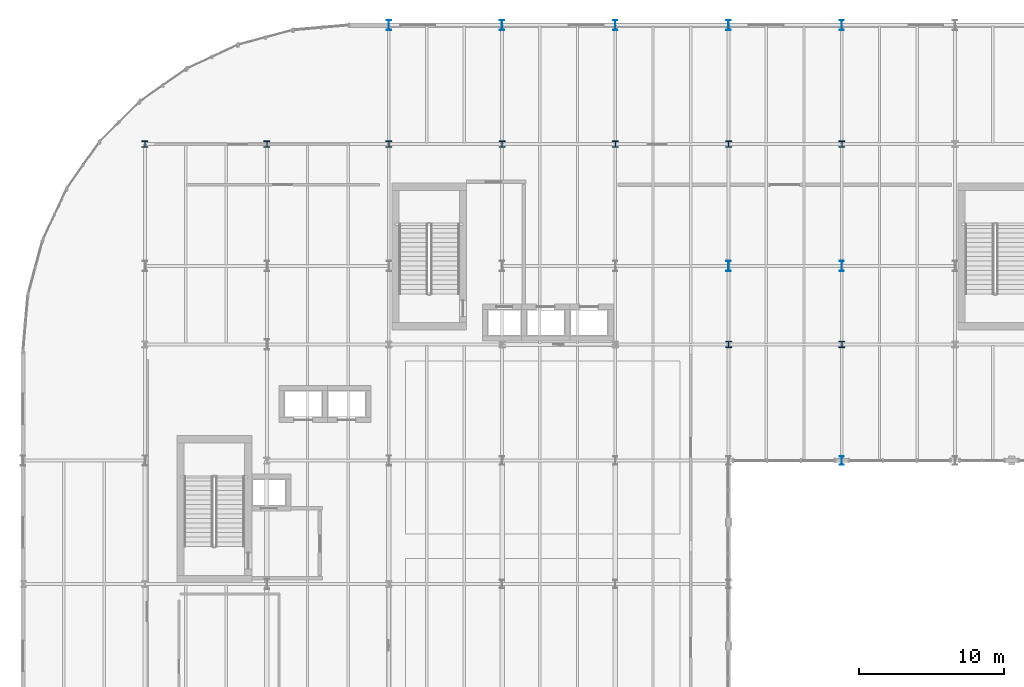
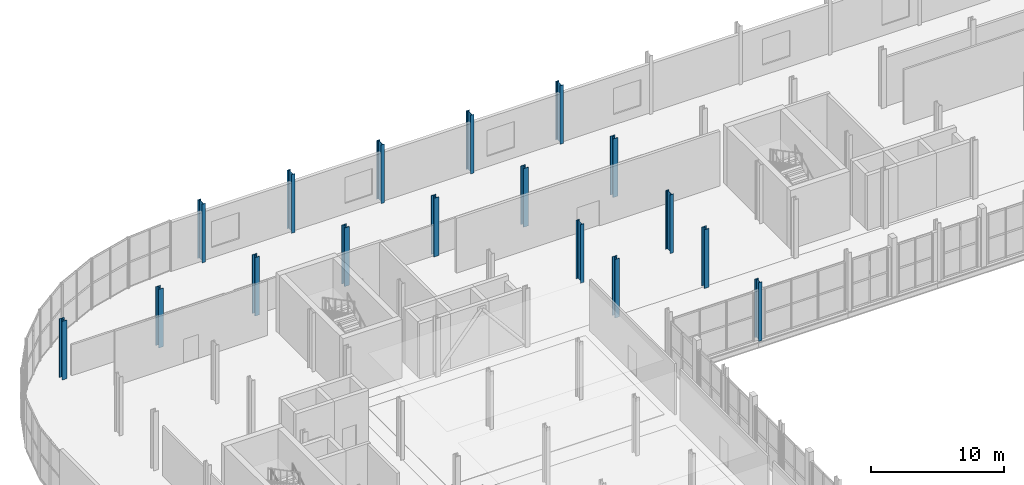
# One storey, part 9 of 78: 17 columns.
"""IFC4 building model written with IfcOpenShell, lengths in metres."""

from ifc_helpers import new_model, si_unit, direction, frame, origin, origin_2d, place, context, subcontext, project, spatial, i_section, extrude, material, material_profile, profile_set, type_object, element, save


model = new_model("IFC4")

# Units and contexts
model_context = context("Model", 3, precision=1e-05, world=origin(), true_north=direction((0.0, 1.0)))
body_context = subcontext(model_context, "Body", "Model", "MODEL_VIEW")
ifc_project = project(units=[si_unit("LENGTHUNIT", "METRE"), si_unit("AREAUNIT", "SQUARE_METRE"), si_unit("VOLUMEUNIT", "CUBIC_METRE"), si_unit("PLANEANGLEUNIT", "RADIAN"), si_unit("MASSUNIT", "GRAM", prefix="KILO")], contexts=[model_context])

# Site, building, storey
site_placement = place(None, origin())
site = spatial("IfcSite", under=ifc_project, at=site_placement, CompositionType="ELEMENT")
building_placement = place(site_placement, origin())
building = spatial("IfcBuilding", under=site, at=building_placement, Name="Sefraquen Railside Congress Hotel", CompositionType="ELEMENT")
storey_placement = place(building_placement, frame((0.0, 0.0, 6.0)))
storey = spatial("IfcBuildingStorey", under=building, at=storey_placement, Name="L01", CompositionType="ELEMENT", Elevation=6.0)

# Columns
ifc_material_1 = material(Name="Steel S355J2", Category="steel")
ifc_material_profile_1 = material_profile(ifc_material_1, i_section(OverallWidth=0.416015625, OverallDepth=0.446044921875, WebThickness=0.035888671875, FlangeThickness=0.048095703125, FilletRadius=0.014892578125, at=origin_2d()), Name="HD 400x509")
ifc_profile_set_1 = profile_set([ifc_material_profile_1], Name="Steel S355J2")
column_type_1 = type_object("IfcColumnType", Name="TC-HD-509", PredefinedType="COLUMN", material=ifc_profile_set_1)
for number, where, z_axis, x_axis, name in (
    (1, (8.39990234375, 109.800048828125, 0.0), (0.0, 0.0, 1.0), (1.0, 0.0, 0.0), "Structural column 2-P L01"),
    (2, (16.800048828125, 109.800048828125, 0.0), (0.0, 0.0, 1.0), (1.0, 0.0, 0.0), "Structural column 3-P L01"),
    (3, (25.199951171875, 109.800048828125, 0.0), (0.0, 0.0, 1.0), (1.0, 0.0, 0.0), "Structural column 4-P L01"),
    (4, (33.0, 109.800048828125, 0.0), (0.0, 0.0, 1.0), (1.0, 0.0, 0.0), "Structural column 5-P L01"),
    (5, (40.800048828125, 109.800048828125, 0.0), (0.0, 0.0, 1.0), (1.0, 0.0, 0.0), "Structural column 6-P L01"),
    (6, (48.60009765625, 96.0, 0.0), (0.0, 0.0, 1.0), (1.0, 0.0, 0.0), "Structural column 7-M L01"),
    (7, (48.60009765625, 109.800048828125, 0.0), (0.0, 0.0, 1.0), (1.0, 0.0, 0.0), "Structural column 7-P L01"),
    (8, (56.39990234375, 96.0, 0.0), (0.0, 0.0, 1.0), (1.0, 0.0, 0.0), "Structural column 8-M L01"),
    (9, (56.39990234375, 109.800048828125, 0.0), (0.0, 0.0, 1.0), (1.0, 0.0, 0.0), "Structural column 8-P L01"),
):
    element("IfcColumn", number, at=place(storey_placement, frame(where, z_axis=z_axis, x_axis=x_axis)), inside=storey, type_object=column_type_1, Name=name, PredefinedType="COLUMN", context=body_context, shape_type="SweptSolid", body=[
        extrude(i_section(OverallWidth=0.416015625, OverallDepth=0.446044921875, WebThickness=0.035888671875, FlangeThickness=0.048095703125, FilletRadius=0.014892578125, at=origin_2d()), origin(), (0.0, 0.0, 1.0), 5.39990234375),
    ])
ifc_material_2 = material(Name="Steel S355JR", Category="steel")
ifc_material_profile_2 = material_profile(ifc_material_2, i_section(OverallWidth=0.300048828125, OverallDepth=0.60009765625, WebThickness=0.015380859375, FlangeThickness=0.030029296875, FilletRadius=0.027099609375, at=origin_2d()), Name="HEB 600")
ifc_profile_set_2 = profile_set([ifc_material_profile_2], Name="Steel S355JR")
column_type_2 = type_object("IfcColumnType", Name="TC-HEB-600", PredefinedType="COLUMN", material=ifc_profile_set_2)
column_placement = place(storey_placement, frame((56.39990234375, 88.0, 0.0), z_axis=(0.0, 0.0, 1.0), x_axis=(1.0, 0.0, 0.0)))
element("IfcColumn", 10, at=column_placement, inside=storey, type_object=column_type_2, Name="Structural column 8-L L01", PredefinedType="COLUMN", context=body_context, shape_type="SweptSolid", body=[
    extrude(i_section(OverallWidth=0.300048828125, OverallDepth=0.60009765625, WebThickness=0.015380859375, FlangeThickness=0.030029296875, FilletRadius=0.027099609375, at=origin_2d()), origin(), (0.0, 0.0, 1.0), 5.39990234375),
])
ifc_material_profile_3 = material_profile(ifc_material_2, i_section(OverallWidth=0.300048828125, OverallDepth=0.699951171875, WebThickness=0.01708984375, FlangeThickness=0.031982421875, FilletRadius=0.027099609375, at=origin_2d()), Name="HEB 700")
ifc_profile_set_3 = profile_set([ifc_material_profile_3], Name="Steel S355JR")
column_type_3 = type_object("IfcColumnType", Name="TC-HEB-700", PredefinedType="COLUMN", material=ifc_profile_set_3)
for number, where, z_axis, x_axis, name in (
    (11, (25.199951171875, 118.0, 0.0), (0.0, 0.0, 1.0), (1.0, 0.0, 0.0), "Structural column 4-Q L01"),
    (12, (33.0, 118.0, 0.0), (0.0, 0.0, 1.0), (1.0, 0.0, 0.0), "Structural column 5-Q L01"),
    (13, (40.800048828125, 118.0, 0.0), (0.0, 0.0, 1.0), (1.0, 0.0, 0.0), "Structural column 6-Q L01"),
    (14, (48.60009765625, 101.39990234375, 0.0), (0.0, 0.0, 1.0), (1.0, 0.0, 0.0), "Structural column 7-N L01"),
    (15, (48.60009765625, 118.0, 0.0), (0.0, 0.0, 1.0), (1.0, 0.0, 0.0), "Structural column 7-Q L01"),
    (16, (56.39990234375, 101.39990234375, 0.0), (0.0, 0.0, 1.0), (1.0, 0.0, 0.0), "Structural column 8-N L01"),
    (17, (56.39990234375, 118.0, 0.0), (0.0, 0.0, 1.0), (1.0, 0.0, 0.0), "Structural column 8-Q L01"),
):
    element("IfcColumn", number, at=place(storey_placement, frame(where, z_axis=z_axis, x_axis=x_axis)), inside=storey, type_object=column_type_3, Name=name, PredefinedType="COLUMN", context=body_context, shape_type="SweptSolid", body=[
        extrude(i_section(OverallWidth=0.300048828125, OverallDepth=0.699951171875, WebThickness=0.01708984375, FlangeThickness=0.031982421875, FilletRadius=0.027099609375, at=origin_2d()), origin(), (0.0, 0.0, 1.0), 5.39990234375),
    ])

save(model, "model.ifc")
